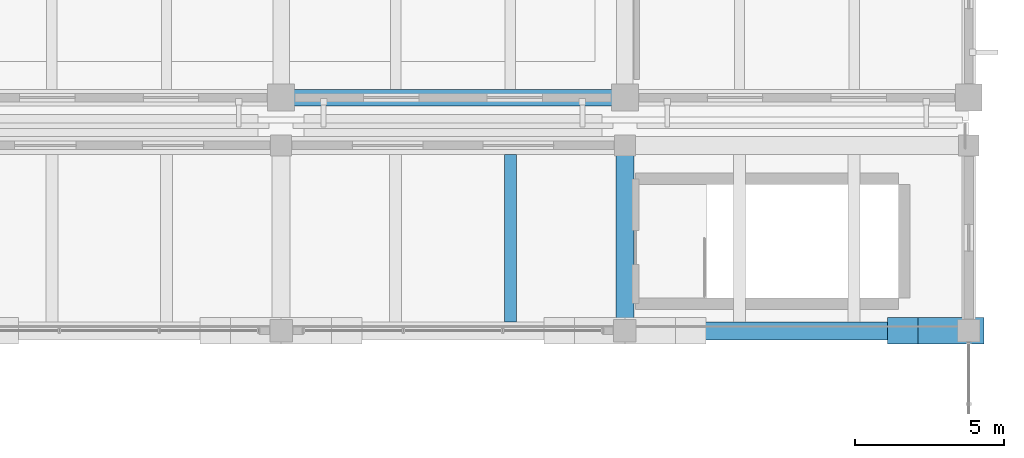
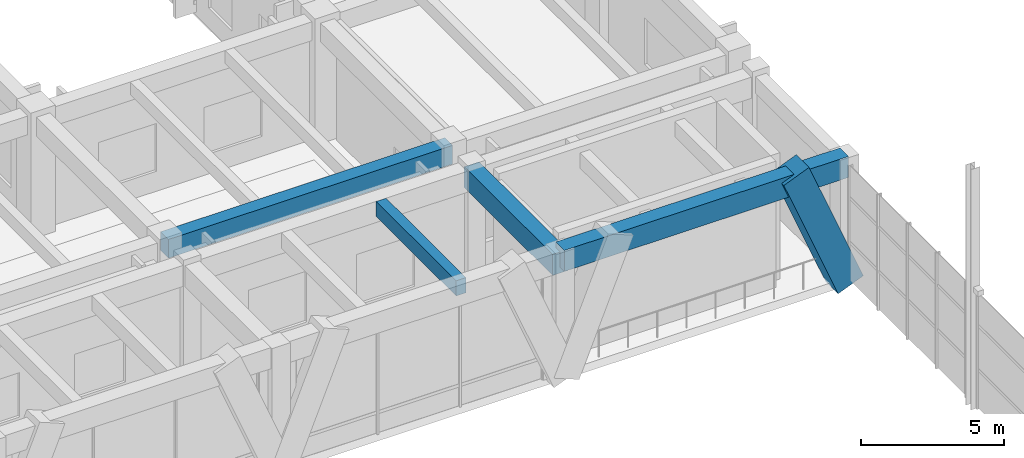
# One storey, part 107 of 148: 4 beams, 1 member.
"""IFC4 building model written with IfcOpenShell, lengths in metres."""

from ifc_helpers import new_model, si_unit, direction, frame, origin, origin_2d, place, context, subcontext, project, spatial, rectangle, extrude, material, material_profile, profile_set, type_object, element, save


model = new_model("IFC4")

# Units and contexts
model_context = context("Model", 3, precision=1e-05, world=origin(), true_north=direction((0.0, 1.0)))
body_context = subcontext(model_context, "Body", "Model", "MODEL_VIEW")
ifc_project = project(units=[si_unit("LENGTHUNIT", "METRE"), si_unit("AREAUNIT", "SQUARE_METRE"), si_unit("VOLUMEUNIT", "CUBIC_METRE"), si_unit("PLANEANGLEUNIT", "RADIAN"), si_unit("MASSUNIT", "GRAM", prefix="KILO")], contexts=[model_context])

# Site, building, storey
site_placement = place(None, origin())
site = spatial("IfcSite", under=ifc_project, at=site_placement, CompositionType="ELEMENT")
building_placement = place(site_placement, origin())
building = spatial("IfcBuilding", under=site, at=building_placement, Name="Ologun Quay Terminus", CompositionType="ELEMENT")
storey_placement = place(building_placement, frame((0.0, 0.0, 8.39990234375)))
storey = spatial("IfcBuildingStorey", under=building, at=storey_placement, Name="L02", CompositionType="ELEMENT", Elevation=8.39990234375)

# Beam
ifc_material_1 = material(Name="Concrete C40/50", Category="concrete")
ifc_material_profile_1 = material_profile(ifc_material_1, rectangle(XDim=0.550048828125, YDim=0.800048828125, at=origin_2d()), Name="RC 550x800")
ifc_profile_set_1 = profile_set([ifc_material_profile_1], Name="Concrete C40/50")
beam_type_1 = type_object("IfcBeamType", Name="Courtyard Wing Primary Girder 550x800", PredefinedType="BEAM", material=ifc_profile_set_1)
beam_1_placement = place(storey_placement, frame((161.0, 85.800048828125, 4.75), z_axis=(1.0, 0.0, 0.0), x_axis=(0.0, 1.0, 0.0)))
element("IfcBeam", 1, at=beam_1_placement, inside=storey, type_object=beam_type_1, Name="B4 Beam 15/G2 L02", PredefinedType="BEAM", context=body_context, shape_type="SweptSolid", body=[
    extrude(rectangle(XDim=0.550048828125, YDim=0.800048828125, at=origin_2d()), origin(), (0.0, 0.0, 1.0), 11.5),
])

# Member
ifc_material_2 = material(Name="Concrete C45/55", Category="concrete")
ifc_material_profile_2 = material_profile(ifc_material_2, rectangle(XDim=0.89990234375, YDim=1.10009765625, at=origin_2d()), Name="RC 900x1100")
ifc_profile_set_2 = profile_set([ifc_material_profile_2], Name="Concrete C45/55")
member_type = type_object("IfcMemberType", Name="Sculpted Concrete Arch V-Buttress Strut 900x1100", PredefinedType="STRUT", material=ifc_profile_set_2)
member_placement = place(storey_placement, frame((184.0, 78.0, 0.0), z_axis=(-0.377280927807, 0.0, 0.926098861631), x_axis=(0.0, -1.0, 0.0)))
element("IfcMember", 2, at=member_placement, inside=storey, type_object=member_type, Name="VS1 Arch V-Buttress West Limb 17/F", PredefinedType="STRUT", context=body_context, shape_type="SweptSolid", body=[
    extrude(rectangle(XDim=0.89990234375, YDim=1.10009765625, at=origin_2d()), origin(), (0.0, 0.0, 1.0), 5.8310546875),
])

# Beams
ifc_material_3 = material(Name="Concrete C40/50", Category="concrete")
ifc_material_profile_3 = material_profile(ifc_material_3, rectangle(XDim=0.60009765625, YDim=0.89990234375, at=origin_2d()), Name="RC 600x900")
ifc_profile_set_3 = profile_set([ifc_material_profile_3], Name="Concrete C40/50")
beam_type_2 = type_object("IfcBeamType", Name="Station Frame Girder 600x900", PredefinedType="BEAM", material=ifc_profile_set_3)
beam_2_placement = place(storey_placement, frame((172.5, 78.0, 4.9501953125), z_axis=(1.0, 0.0, 0.0), x_axis=(0.0, 1.0, 0.0)))
element("IfcBeam", 3, at=beam_2_placement, inside=storey, type_object=beam_type_2, Name="B3 Beam 16/F L02", PredefinedType="BEAM", context=body_context, shape_type="SweptSolid", body=[
    extrude(rectangle(XDim=0.60009765625, YDim=0.89990234375, at=origin_2d()), origin(), (0.0, 0.0, 1.0), 11.5),
])
beam_3_placement = place(storey_placement, frame((172.5, 78.0, 4.7001953125), z_axis=(0.0, 1.0, 0.0), x_axis=(-1.0, 0.0, 0.0)))
element("IfcBeam", 4, at=beam_3_placement, inside=storey, type_object=beam_type_2, Name="B3 Beam 16/F L02", PredefinedType="BEAM", context=body_context, shape_type="SweptSolid", body=[
    extrude(rectangle(XDim=0.60009765625, YDim=0.89990234375, at=origin_2d()), origin(), (0.0, 0.0, 1.0), 6.199951171875),
])
ifc_material_4 = material(Name="Concrete C40/50", Category="concrete")
ifc_material_profile_4 = material_profile(ifc_material_4, rectangle(XDim=0.39990234375, YDim=0.64990234375, at=origin_2d()), Name="RC 400x650")
ifc_profile_set_4 = profile_set([ifc_material_profile_4], Name="Concrete C40/50")
beam_type_3 = type_object("IfcBeamType", Name="Station Secondary Joist 400x650", PredefinedType="JOIST", material=ifc_profile_set_4)
beam_4_placement = place(storey_placement, frame((168.666748046875, 78.300048828125, 4.8251953125), z_axis=(0.0, 1.0, 0.0), x_axis=(-1.0, 0.0, 0.0)))
element("IfcBeam", 5, at=beam_4_placement, inside=storey, type_object=beam_type_3, Name="J1 Beam 15/F L02", PredefinedType="JOIST", context=body_context, shape_type="SweptSolid", body=[
    extrude(rectangle(XDim=0.39990234375, YDim=0.64990234375, at=origin_2d()), origin(), (0.0, 0.0, 1.0), 5.599853515625),
])

save(model, "model.ifc")
